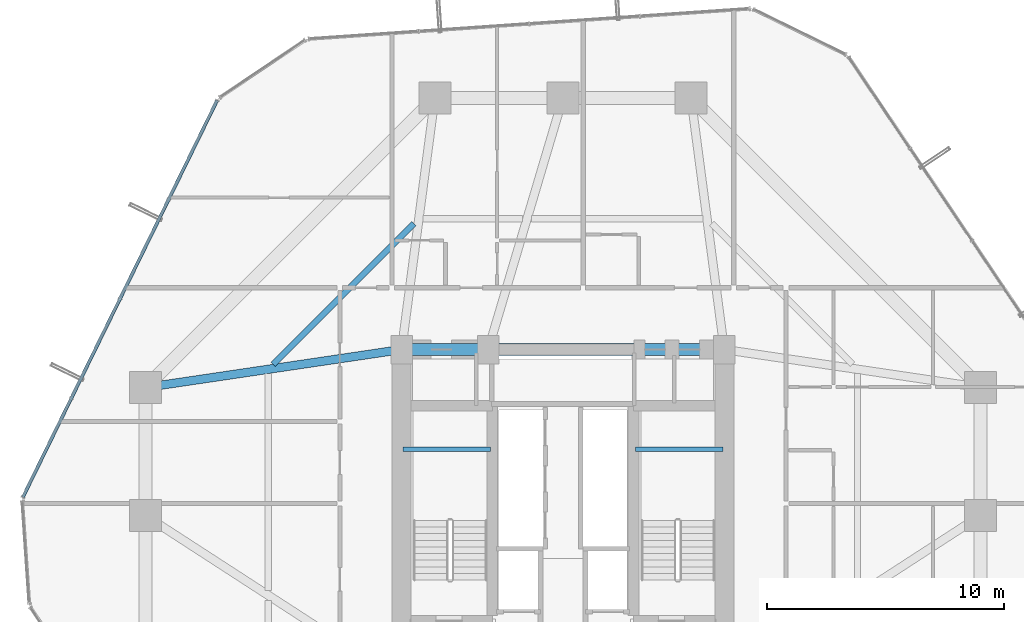
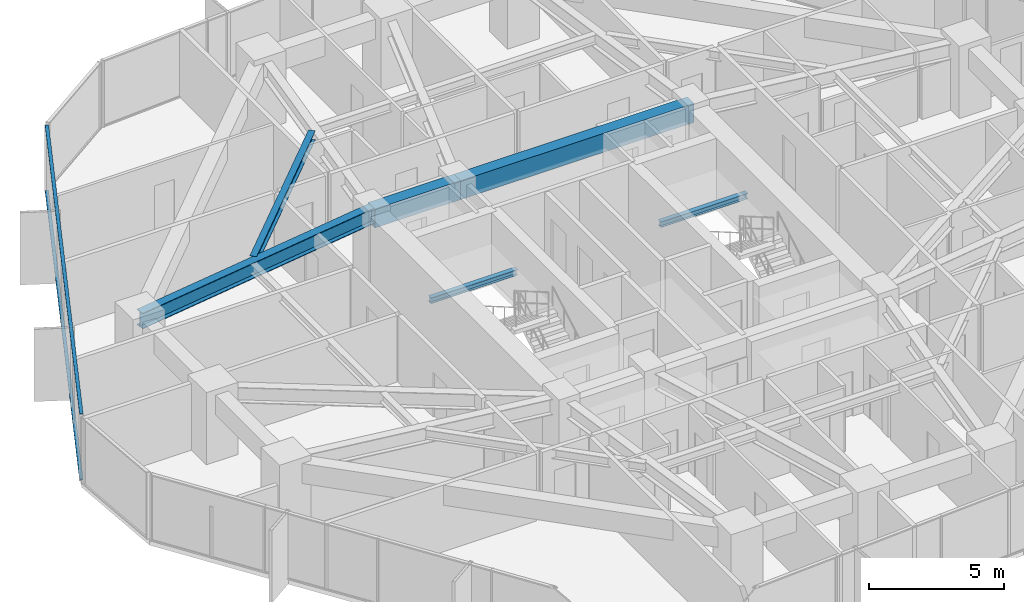
# One storey, part 13 of 37: 6 beams, 2 members, 1 element without a shape of its own.
"""IFC4 building model written with IfcOpenShell, lengths in metres."""

import ifcopenshell
import ifcopenshell.guid

model = None  # the IFC model being written
_history = None  # IfcOwnerHistory: only IFC2X3 demands one
_inside = {}  # id of a spatial element -> (the spatial element, [elements in it])
_under = {}  # id of a project, library or spatial element -> (it, [spatial elements below it])
_declared = {}  # id of a project -> (the project, [libraries it declares])
_typed = {}  # id of a type object -> (the type object, [elements of that type])
_made_of = {}  # id of a material, layer set ... -> (it, [elements and type objects made of it])


def new_model(schema):
    """Start an empty IFC model of exactly this schema.

    Asked for "IFC4X3", IfcOpenShell would pick the latest addendum, in which some entities
    have other attributes; the version numbers below select the first issue.
    IFC2X3 requires an IfcOwnerHistory on every rooted entity: one is made here for all.
    """
    global model, _history
    if schema == "IFC4X3":
        model = ifcopenshell.file(schema_version=(4, 3, 0, 0))
    else:
        model = ifcopenshell.file(schema=schema)
    _inside.clear()
    _under.clear()
    _declared.clear()
    _typed.clear()
    _made_of.clear()
    _history = None
    if model.schema == "IFC2X3":
        org = make("IfcOrganization", Name="unknown")
        user = make(
            "IfcPersonAndOrganization",
            ThePerson=make("IfcPerson", FamilyName="unknown"),
            TheOrganization=org,
        )
        app = make(
            "IfcApplication",
            ApplicationDeveloper=org,
            Version="unknown",
            ApplicationFullName="unknown",
            ApplicationIdentifier="unknown",
        )
        _history = make(
            "IfcOwnerHistory",
            OwningUser=user,
            OwningApplication=app,
            ChangeAction="ADDED",
            CreationDate=0,
        )
    return model


def make(cls, **values):
    """One entity of the class cls with the attributes given. An attribute that is None is left unset."""
    return model.create_entity(
        cls, **{name: value for name, value in values.items() if value is not None}
    )


def rooted(cls, **values):
    """An entity with a GlobalId (a new one), such as an element, a storey or a relation."""
    return make(cls, GlobalId=ifcopenshell.guid.new(), OwnerHistory=_history, **values)


def si_unit(unit_type, name, prefix=None):
    """IfcSIUnit, for example si_unit("LENGTHUNIT", "METRE", prefix="MILLI")."""
    return make("IfcSIUnit", UnitType=unit_type, Prefix=prefix, Name=name)


def assignment(units):
    """IfcUnitAssignment: the units of a project."""
    return None if units is None else make("IfcUnitAssignment", Units=units)


def point(xyz):
    """IfcCartesianPoint."""
    return None if xyz is None else make("IfcCartesianPoint", Coordinates=xyz)


def direction(xyz):
    """IfcDirection."""
    return None if xyz is None else make("IfcDirection", DirectionRatios=xyz)


def frame(location, z_axis=None, x_axis=None):
    """IfcAxis2Placement3D, a coordinate frame: its origin and axes. An axis left out is left unset."""
    return make(
        "IfcAxis2Placement3D",
        Location=point(location),
        Axis=direction(z_axis),
        RefDirection=direction(x_axis),
    )


def frame_2d(location, x_axis=None):
    """IfcAxis2Placement2D, a coordinate frame in the plane: its origin and x axis."""
    return make(
        "IfcAxis2Placement2D", Location=point(location), RefDirection=direction(x_axis)
    )


def origin():
    """The frame at (0, 0, 0) with its axes left unset."""
    return frame((0.0, 0.0, 0.0))


def origin_2d():
    """The frame at (0, 0) in the plane with its x axis left unset."""
    return frame_2d((0.0, 0.0))


def place(relative_to, where):
    """IfcLocalPlacement: puts the frame where relative to a parent placement (None: the world)."""
    return make(
        "IfcLocalPlacement", PlacementRelTo=relative_to, RelativePlacement=where
    )


def context(
    kind, dimensions, precision=None, world=None, true_north=None, identifier=None
):
    """IfcGeometricRepresentationContext, for example the 3D "Model" context."""
    return make(
        "IfcGeometricRepresentationContext",
        ContextIdentifier=identifier,
        ContextType=kind,
        CoordinateSpaceDimension=dimensions,
        Precision=precision,
        WorldCoordinateSystem=world,
        TrueNorth=true_north,
    )


def subcontext(parent, identifier, kind, view, scale=None):
    """IfcGeometricRepresentationSubContext, for example "Body" below "Model"."""
    return make(
        "IfcGeometricRepresentationSubContext",
        ContextIdentifier=identifier,
        ContextType=kind,
        ParentContext=parent,
        TargetScale=scale,
        TargetView=view,
    )


def project(units=None, contexts=None):
    """IfcProject with its units and contexts."""
    return rooted(
        "IfcProject",
        Name="project",
        RepresentationContexts=contexts,
        UnitsInContext=assignment(units),
    )


def spatial(cls, under=None, at=None, **own):
    """A site, building, storey or space (cls), placed at a placement, below another one or the project."""
    s = rooted(cls, ObjectPlacement=at, **own)
    if under is not None:
        _under.setdefault(under.id(), (under, []))[1].append(s)
    return s


def profile(cls, at=None, kind="AREA", **sizes):
    """A parametric profile (cls). Its sizes go by their IFC names, for example OverallWidth=200.0."""
    return make(cls, ProfileType=kind, Position=at, **sizes)


def rectangle(**sizes):
    """IfcRectangleProfileDef."""
    return profile("IfcRectangleProfileDef", **sizes)


def hollow_rectangle(**sizes):
    """IfcRectangleHollowProfileDef."""
    return profile("IfcRectangleHollowProfileDef", **sizes)


def i_section(**sizes):
    """IfcIShapeProfileDef."""
    return profile("IfcIShapeProfileDef", **sizes)


def extrude(swept, where, along, depth):
    """IfcExtrudedAreaSolid: the profile swept, set in the frame where, extruded along a direction by depth."""
    return make(
        "IfcExtrudedAreaSolid",
        SweptArea=swept,
        Position=where,
        ExtrudedDirection=direction(along),
        Depth=depth,
    )


def shape(context_of_items, identifier, shape_type, items):
    """IfcShapeRepresentation: the items that make up one representation, for example the "Body"."""
    return make(
        "IfcShapeRepresentation",
        ContextOfItems=context_of_items,
        RepresentationIdentifier=identifier,
        RepresentationType=shape_type,
        Items=items,
    )


def source(mapping_origin, context_of_items, identifier, shape_type, items):
    """IfcRepresentationMap: a shape defined once, which mapped items show again and again."""
    return make(
        "IfcRepresentationMap",
        MappingOrigin=mapping_origin,
        MappedRepresentation=shape(context_of_items, identifier, shape_type, items),
    )


def transform(
    local_origin,
    x_axis=None,
    y_axis=None,
    z_axis=None,
    scale=None,
    scale2=None,
    scale3=None,
    uniform=True,
):
    """IfcCartesianTransformationOperator3D, or its non-uniform kind. x_axis, y_axis, z_axis: its Axis1, 2, 3."""
    if uniform:
        return make(
            "IfcCartesianTransformationOperator3D",
            Axis1=direction(x_axis),
            Axis2=direction(y_axis),
            LocalOrigin=point(local_origin),
            Scale=scale,
            Axis3=direction(z_axis),
        )
    return make(
        "IfcCartesianTransformationOperator3DnonUniform",
        Axis1=direction(x_axis),
        Axis2=direction(y_axis),
        LocalOrigin=point(local_origin),
        Scale=scale,
        Axis3=direction(z_axis),
        Scale2=scale2,
        Scale3=scale3,
    )


def mapped(mapping_source, mapping_target):
    """IfcMappedItem: shows the shape of a source again, moved by a transform."""
    return make(
        "IfcMappedItem", MappingSource=mapping_source, MappingTarget=mapping_target
    )


def material(Name=None, Category=None):
    """IfcMaterial."""
    return make("IfcMaterial", Name=Name, Category=Category)


def layer(
    of_material, thickness, ventilated=None, Name=None, Category=None, Priority=None
):
    """IfcMaterialLayer: one layer of a wall or slab, of a material (None: an air gap)."""
    return make(
        "IfcMaterialLayer",
        Material=of_material,
        LayerThickness=thickness,
        IsVentilated=ventilated,
        Name=Name,
        Category=Category,
        Priority=Priority,
    )


def layer_set(layers, Name=None):
    """IfcMaterialLayerSet."""
    return make("IfcMaterialLayerSet", MaterialLayers=layers, LayerSetName=Name)


def material_profile(
    of_material, cross_section, Name=None, Category=None, Priority=None
):
    """IfcMaterialProfile: a cross section and its material."""
    return make(
        "IfcMaterialProfile",
        Name=Name,
        Material=of_material,
        Profile=cross_section,
        Priority=Priority,
        Category=Category,
    )


def profile_set(profiles, Name=None, composite=None):
    """IfcMaterialProfileSet."""
    return make(
        "IfcMaterialProfileSet",
        Name=Name,
        MaterialProfiles=profiles,
        CompositeProfile=composite,
    )


def made_of(thing, what):
    """Note that an element or type object is made of a material, layer set ...; save() writes the relation."""
    if what is not None:
        _made_of.setdefault(what.id(), (what, []))[1].append(thing)
    return thing


def type_object(cls, material=None, **own):
    """A type object (cls), such as IfcWallType, which elements share."""
    return made_of(rooted(cls, **own), material)


def element(
    cls,
    number,
    at=None,
    inside=None,
    cuts=None,
    type_object=None,
    material=None,
    context=None,
    identifier="Body",
    shape_type=None,
    held_by="IfcProductDefinitionShape",
    body=None,
    shapes=None,
    **own,
):
    """One element of the class cls, such as IfcWall. Its Tag is "e" and its number.

    at: its placement. inside: the storey or other place that contains it. cuts: it is an
    opening in that element (IfcRelVoidsElement). A single representation is given by context,
    identifier, shape_type and body (its items); several are given by shapes. held_by: the class
    of the entity that holds the representations. save() writes the other relations.
    """
    e = rooted(cls, Tag="e%d" % number, ObjectPlacement=at, **own)
    if body is not None:
        shapes = [shape(context, identifier, shape_type, body)]
    if shapes is not None:
        e.Representation = make(held_by, Representations=shapes)
    if inside is not None:
        _inside.setdefault(inside.id(), (inside, []))[1].append(e)
    if cuts is not None:
        rooted(
            "IfcRelVoidsElement", RelatingBuildingElement=cuts, RelatedOpeningElement=e
        )
    if type_object is not None:
        _typed.setdefault(type_object.id(), (type_object, []))[1].append(e)
    return made_of(e, material)


def aggregate(whole, parts):
    """IfcRelAggregates: a whole, such as a stair, and the parts it consists of."""
    return rooted("IfcRelAggregates", RelatingObject=whole, RelatedObjects=parts)


def save(model, path):
    """Write the relations noted so far, then the file.

    IfcRelAggregates (storeys below a building ...), IfcRelContainedInSpatialStructure (elements
    in a storey), IfcRelDefinesByType, IfcRelAssociatesMaterial and IfcRelDeclares: one each for
    every whole, place, type object, material and project.
    """
    for whole, parts in _under.values():
        aggregate(whole, parts)
    for where, things in _inside.values():
        rooted(
            "IfcRelContainedInSpatialStructure",
            RelatedElements=things,
            RelatingStructure=where,
        )
    for kind, things in _typed.values():
        rooted("IfcRelDefinesByType", RelatedObjects=things, RelatingType=kind)
    for what, things in _made_of.values():
        rooted("IfcRelAssociatesMaterial", RelatedObjects=things, RelatingMaterial=what)
    for by, libraries in _declared.values():
        rooted("IfcRelDeclares", RelatingContext=by, RelatedDefinitions=libraries)
    model.write(path)


model = new_model("IFC4")

# Units and contexts
model_context = context("Model", 3, precision=1e-05, world=origin(), true_north=direction((0.0, 1.0)))
body_context = subcontext(model_context, "Body", "Model", "MODEL_VIEW")
ifc_project = project(units=[si_unit("LENGTHUNIT", "METRE"), si_unit("AREAUNIT", "SQUARE_METRE"), si_unit("VOLUMEUNIT", "CUBIC_METRE"), si_unit("PLANEANGLEUNIT", "RADIAN"), si_unit("MASSUNIT", "GRAM", prefix="KILO")], contexts=[model_context])

# Site, building, storey
site_placement = place(None, origin())
site = spatial("IfcSite", under=ifc_project, at=site_placement, CompositionType="ELEMENT")
building_placement = place(site_placement, origin())
building = spatial("IfcBuilding", under=site, at=building_placement, Name="Veraguas Prism Commons", CompositionType="ELEMENT")
storey_placement = place(building_placement, frame((0.0, 0.0, 37.050048828125)))
storey = spatial("IfcBuildingStorey", under=building, at=storey_placement, Name="L09", CompositionType="ELEMENT", Elevation=37.050048828125)

# Beams
ifc_material_1 = material(Name="Concrete C50/60", Category="concrete")
ifc_material_profile_1 = material_profile(ifc_material_1, rectangle(XDim=0.5, YDim=0.85009765625, at=origin_2d()), Name="RC500X850")
ifc_profile_set_1 = profile_set([ifc_material_profile_1], Name="Concrete C50/60")
beam_type_1 = type_object("IfcBeamType", Name="Core Coupling Beam RC 500x850", PredefinedType="BEAM", material=ifc_profile_set_1)
beam_1_placement = place(storey_placement, frame((17.199951171875, 31.0, 2.574951171875), z_axis=(1.0, 0.0, 0.0), x_axis=(0.0, 1.0, 0.0)))
element("IfcBeam", 1, at=beam_1_placement, inside=storey, type_object=beam_type_1, Name="Core Coupling Beam L09-CRN1", PredefinedType="BEAM", context=body_context, shape_type="SweptSolid", body=[
    extrude(rectangle(XDim=0.5, YDim=0.85009765625, at=origin_2d()), origin(), (0.0, 0.0, 1.0), 3.650146484375),
])
beam_2_placement = place(storey_placement, frame((20.85009765625, 31.0, 2.574951171875), z_axis=(1.0, 0.0, 0.0), x_axis=(0.0, 1.0, 0.0)))
element("IfcBeam", 2, at=beam_2_placement, inside=storey, type_object=beam_type_1, Name="Core Coupling Beam L09-CRN2", PredefinedType="BEAM", context=body_context, shape_type="SweptSolid", body=[
    extrude(rectangle(XDim=0.5, YDim=0.85009765625, at=origin_2d()), origin(), (0.0, 0.0, 1.0), 9.949951171875),
])
ifc_material_2 = material(Name="Steel ASTM A992 Grade 50", Category="steel")
ifc_material_profile_2 = material_profile(ifc_material_2, i_section(OverallWidth=0.260986328125, OverallDepth=0.419921875, WebThickness=0.01171875, FlangeThickness=0.019287109375, at=origin_2d()), Name="W410X114")
ifc_profile_set_2 = profile_set([ifc_material_profile_2], Name="Steel ASTM A992 Grade 50")
beam_type_2 = type_object("IfcBeamType", Name="Lower Floor Joist W410x114", PredefinedType="JOIST", material=ifc_profile_set_2)
beam_3_placement = place(storey_placement, frame((17.723388671875, 36.3076171875, 2.7900390625), z_axis=(-0.707092226423, -0.70712133565, 0.0), x_axis=(0.70712133565, -0.707092226423, 0.0)))
element("IfcBeam", 3, at=beam_3_placement, inside=storey, type_object=beam_type_2, Name="Composite Floor Joist L09-JS06", PredefinedType="JOIST", context=body_context, shape_type="SweptSolid", body=[
    extrude(i_section(OverallWidth=0.260986328125, OverallDepth=0.419921875, WebThickness=0.01171875, FlangeThickness=0.019287109375, at=origin_2d()), origin(), (0.0, 0.0, 1.0), 8.386962890625),
])
ifc_material_profile_3 = material_profile(ifc_material_2, i_section(OverallWidth=0.202880859375, OverallDepth=0.251953125, WebThickness=0.008056640625, FlangeThickness=0.013427734375, at=origin_2d()), Name="W250X58")
ifc_profile_set_3 = profile_set([ifc_material_profile_3], Name="Steel ASTM A992 Grade 50")
beam_type_3 = type_object("IfcBeamType", Name="Structural Opening Lintel W250x58", PredefinedType="LINTEL", material=ifc_profile_set_3)
for number, where, z_axis, x_axis, name in (
    (4, (17.25, 26.800048828125, 1.299072265625), (1.0, 0.0, 0.0), (0.0, 1.0, 0.0), "Stair ST-01 Half-Landing Support Beam L09-1"),
    (5, (27.050048828125, 26.800048828125, 1.299072265625), (1.0, 0.0, 0.0), (0.0, 1.0, 0.0), "Stair ST-02 Half-Landing Support Beam L09-1"),
):
    element("IfcBeam", number, at=place(storey_placement, frame(where, z_axis=z_axis, x_axis=x_axis)), inside=storey, type_object=beam_type_3, Name=name, PredefinedType="LINTEL", context=body_context, shape_type="SweptSolid", body=[
        extrude(i_section(OverallWidth=0.202880859375, OverallDepth=0.251953125, WebThickness=0.008056640625, FlangeThickness=0.013427734375, at=origin_2d()), origin(), (0.0, 0.0, 1.0), 3.699951171875),
    ])
ifc_material_profile_4 = material_profile(ifc_material_2, i_section(OverallWidth=0.35595703125, OverallDepth=0.700927734375, WebThickness=0.016845703125, FlangeThickness=0.02734375, at=origin_2d()), Name="W690X240")
ifc_profile_set_4 = profile_set([ifc_material_profile_4], Name="Steel ASTM A992 Grade 50")
beam_type_4 = type_object("IfcBeamType", Name="Zone 1 Radial Girder W690x240", PredefinedType="BEAM", material=ifc_profile_set_4)
beam_4_placement = place(storey_placement, frame((6.39990234375, 29.39990234375, 2.6494140625), z_axis=(0.989202261707, 0.146556765224, 0.0), x_axis=(-0.146556765224, 0.989202261707, 0.0)))
element("IfcBeam", 6, at=beam_4_placement, inside=storey, type_object=beam_type_4, Name="Radial Floor Girder L09-RD07", PredefinedType="BEAM", context=body_context, shape_type="SweptSolid", body=[
    extrude(i_section(OverallWidth=0.35595703125, OverallDepth=0.700927734375, WebThickness=0.016845703125, FlangeThickness=0.02734375, at=origin_2d()), origin(), (0.0, 0.0, 1.0), 10.91796875),
])

# Curtain wall, members
ifc_material_3 = material(Name="Anodised aluminium EN AW-6063 T6", Category="aluminium")
ifc_layer = layer(ifc_material_3, 0.169921875, Name="Unitised Flush Curtain Wall Zone 1", Category="aluminium")
ifc_layer_set = layer_set([ifc_layer], Name="Anodised aluminium EN AW-6063 T6")
curtain_wall_type = type_object("IfcCurtainWallType", Name="Unitised Flush Curtain Wall Zone 1", PredefinedType="NOTDEFINED", material=ifc_layer_set)
curtain_wall_placement = place(storey_placement, origin())
curtain_wall = element("IfcCurtainWall", 7, at=curtain_wall_placement, inside=storey, type_object=curtain_wall_type, Name="Tower Facade Curtain Wall L09-F3", PredefinedType="NOTDEFINED")
ifc_material_profile_5 = material_profile(ifc_material_3, hollow_rectangle(XDim=0.054931640625, YDim=0.135009765625, WallThickness=0.0029296875, at=origin_2d()), Name="AL55X135X3")
ifc_profile_set_5 = profile_set([ifc_material_profile_5], Name="Anodised aluminium EN AW-6063 T6")
member_type = type_object("IfcMemberType", Name="Curtain Wall Transom Standard AL 55x135x3", PredefinedType="USERDEFINED", material=ifc_profile_set_5)
shared_shape = source(origin(), body_context, "Body", "SweptSolid", [
    extrude(hollow_rectangle(XDim=0.054931640625, YDim=0.135009765625, WallThickness=0.0029296875, at=origin_2d()), origin(), (0.0, 0.0, 1.0), 18.623779296875),
])
member_1_placement = place(storey_placement, frame((9.42529296875, 41.501220703125, 0.02734375), z_axis=(-0.439625771561, -0.898181040203, 0.0), x_axis=(0.0, 0.0, 1.0)))
member_1 = element("IfcMember", 8, at=member_1_placement, type_object=member_type, Name="CW-Z1 Transom 1", ObjectType="TRANSOM", PredefinedType="USERDEFINED", context=body_context, shape_type="MappedRepresentation", body=[
    mapped(shared_shape, transform((0.0, 0.0, 0.0), scale=1.0)),
])
member_2_placement = place(storey_placement, frame((9.42529296875, 41.501220703125, 2.972412109375), z_axis=(-0.439625771561, -0.898181040203, 0.0), x_axis=(0.0, 0.0, 1.0)))
member_2 = element("IfcMember", 9, at=member_2_placement, type_object=member_type, Name="CW-Z1 Transom 2", ObjectType="TRANSOM", PredefinedType="USERDEFINED", context=body_context, shape_type="MappedRepresentation", body=[
    mapped(shared_shape, transform((0.0, 0.0, 0.0), scale=1.0)),
])
aggregate(curtain_wall, [member_1, member_2])

save(model, "model.ifc")
